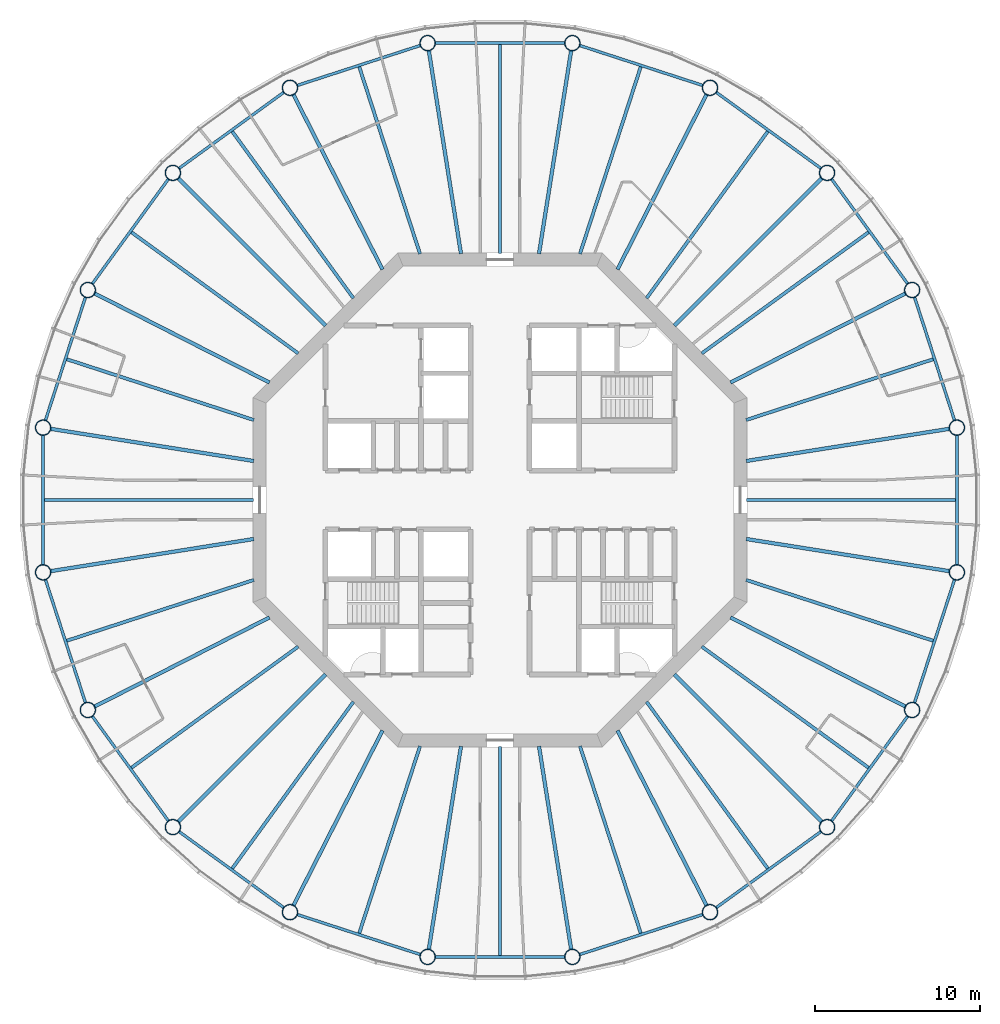
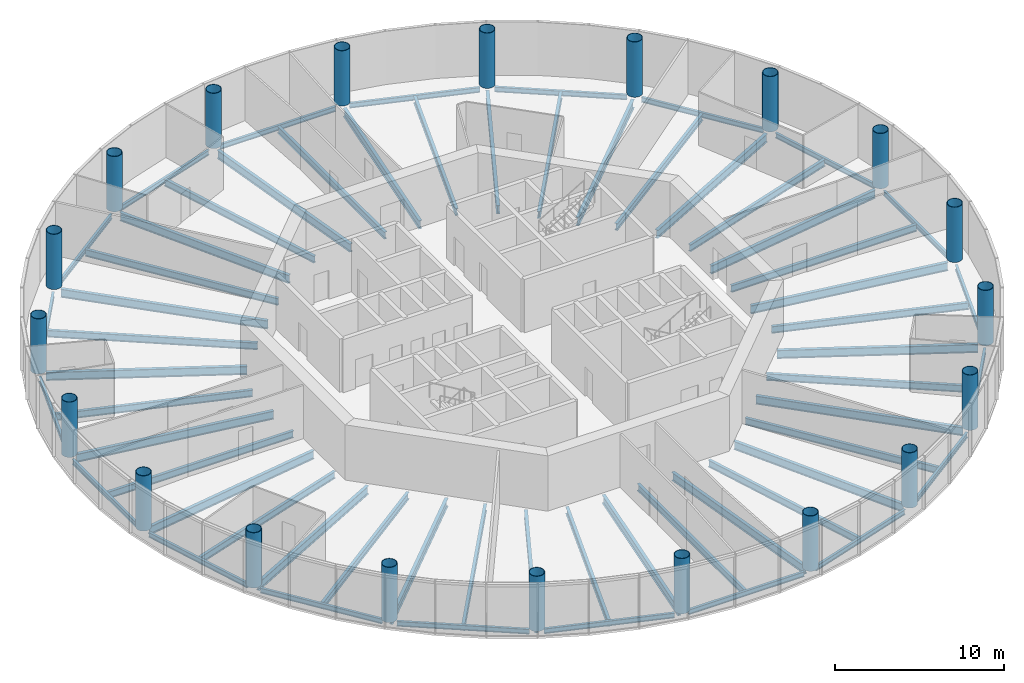
# One storey, part 1 of 13: 60 beams, 20 columns.
"""IFC4 building model written with IfcOpenShell, lengths in metres."""

from ifc_helpers import new_model, si_unit, direction, frame, origin, origin_2d, place, context, subcontext, project, spatial, circle, hollow_circle, i_section, extrude, material, material_profile, profile_set, type_object, element, save


model = new_model("IFC4")

# Units and contexts
model_context = context("Model", 3, precision=1e-05, world=origin(), true_north=direction((0.0, 1.0)))
body_context = subcontext(model_context, "Body", "Model", "MODEL_VIEW")
ifc_project = project(units=[si_unit("LENGTHUNIT", "METRE"), si_unit("AREAUNIT", "SQUARE_METRE"), si_unit("VOLUMEUNIT", "CUBIC_METRE"), si_unit("PLANEANGLEUNIT", "RADIAN"), si_unit("MASSUNIT", "GRAM", prefix="KILO")], contexts=[model_context])

# Site, building, storey
site_placement = place(None, origin())
site = spatial("IfcSite", under=ifc_project, at=site_placement, CompositionType="ELEMENT")
building_placement = place(site_placement, origin())
building = spatial("IfcBuilding", under=site, at=building_placement, Name="Entoto Ring Tower", CompositionType="ELEMENT")
storey_placement = place(building_placement, frame((0.0, 0.0, 314.0)))
storey = spatial("IfcBuildingStorey", under=building, at=storey_placement, Name="L72", CompositionType="ELEMENT", Elevation=314.0)

# Columns
ifc_material_1 = material(Name="Steel S355", Category="steel")
ifc_material_profile_1 = material_profile(ifc_material_1, hollow_circle(Radius=0.47509765625, WallThickness=0.034912109375, at=origin_2d()), Name="CHS 950 x 35")
ifc_material_2 = material(Name="Concrete C60/75", Category="concrete")
ifc_material_profile_2 = material_profile(ifc_material_2, circle(Radius=0.43994140625, at=origin_2d()), Name="Concrete C60/75 infill")
ifc_profile_set_1 = profile_set([ifc_material_profile_1, ifc_material_profile_2], Name="Steel S355")
column_type = type_object("IfcColumnType", Name="Ring column 950 x 35 concrete-filled tube", PredefinedType="COLUMN", material=ifc_profile_set_1)
for number, where, z_axis, x_axis, name in (
    (1, (117.754150390625, 84.395751953125, 0.0), (0.0, 0.0, 1.0), (1.0, 0.0, 0.0), "RC5 R01"),
    (2, (115.037353515625, 92.757080078125, 0.0), (0.0, 0.0, 1.0), (1.0, 0.0, 0.0), "RC5 R02"),
    (3, (109.86962890625, 99.86962890625, 0.0), (0.0, 0.0, 1.0), (1.0, 0.0, 0.0), "RC5 R03"),
    (4, (102.757080078125, 105.037353515625, 0.0), (0.0, 0.0, 1.0), (1.0, 0.0, 0.0), "RC5 R04"),
    (5, (94.395751953125, 107.754150390625, 0.0), (0.0, 0.0, 1.0), (1.0, 0.0, 0.0), "RC5 R05"),
    (6, (85.604248046875, 107.754150390625, 0.0), (0.0, 0.0, 1.0), (1.0, 0.0, 0.0), "RC5 R06"),
    (7, (77.242919921875, 105.037353515625, 0.0), (0.0, 0.0, 1.0), (1.0, 0.0, 0.0), "RC5 R07"),
    (8, (70.13037109375, 99.86962890625, 0.0), (0.0, 0.0, 1.0), (1.0, 0.0, 0.0), "RC5 R08"),
    (9, (64.962646484375, 92.757080078125, 0.0), (0.0, 0.0, 1.0), (1.0, 0.0, 0.0), "RC5 R09"),
    (10, (62.245849609375, 84.395751953125, 0.0), (0.0, 0.0, 1.0), (1.0, 0.0, 0.0), "RC5 R10"),
    (11, (62.245849609375, 75.604248046875, 0.0), (0.0, 0.0, 1.0), (1.0, 0.0, 0.0), "RC5 R11"),
    (12, (64.962646484375, 67.242919921875, 0.0), (0.0, 0.0, 1.0), (1.0, 0.0, 0.0), "RC5 R12"),
    (13, (70.13037109375, 60.13037109375, 0.0), (0.0, 0.0, 1.0), (1.0, 0.0, 0.0), "RC5 R13"),
    (14, (77.242919921875, 54.962646484375, 0.0), (0.0, 0.0, 1.0), (1.0, 0.0, 0.0), "RC5 R14"),
    (15, (85.604248046875, 52.245849609375, 0.0), (0.0, 0.0, 1.0), (1.0, 0.0, 0.0), "RC5 R15"),
    (16, (94.395751953125, 52.245849609375, 0.0), (0.0, 0.0, 1.0), (1.0, 0.0, 0.0), "RC5 R16"),
    (17, (102.757080078125, 54.962646484375, 0.0), (0.0, 0.0, 1.0), (1.0, 0.0, 0.0), "RC5 R17"),
    (18, (109.86962890625, 60.13037109375, 0.0), (0.0, 0.0, 1.0), (1.0, 0.0, 0.0), "RC5 R18"),
    (19, (115.037353515625, 67.242919921875, 0.0), (0.0, 0.0, 1.0), (1.0, 0.0, 0.0), "RC5 R19"),
    (20, (117.754150390625, 75.604248046875, 0.0), (0.0, 0.0, 1.0), (1.0, 0.0, 0.0), "RC5 R20"),
):
    element("IfcColumn", number, at=place(storey_placement, frame(where, z_axis=z_axis, x_axis=x_axis)), inside=storey, type_object=column_type, Name=name, PredefinedType="COLUMN", context=body_context, shape_type="SweptSolid", body=[
        extrude(hollow_circle(Radius=0.47509765625, WallThickness=0.034912109375, at=origin_2d()), origin(), (0.0, 0.0, 1.0), 4.0),
    ])

# Beams
ifc_material_3 = material(Name="Steel S355", Category="steel")
ifc_material_profile_3 = material_profile(ifc_material_3, i_section(OverallWidth=0.169921875, OverallDepth=0.360107421875, WebThickness=0.008056640625, FlangeThickness=0.0126953125, FilletRadius=0.01806640625, at=origin_2d()), Name="IPE 360")
ifc_profile_set_2 = profile_set([ifc_material_profile_3], Name="Steel S355")
beam_type_1 = type_object("IfcBeamType", Name="Edge beam IPE 360", PredefinedType="SPANDREL", material=ifc_profile_set_2)
beam_1_placement = place(storey_placement, frame((117.61572265625, 84.8212890625, -0.330078125), z_axis=(-0.309002883506, 0.951061101079, 0.0), x_axis=(-0.951061101079, -0.309002883506, 0.0)))
element("IfcBeam", 21, at=beam_1_placement, inside=storey, type_object=beam_type_1, Name="Edge beam L72 01", PredefinedType="SPANDREL", context=body_context, shape_type="SweptSolid", body=[
    extrude(i_section(OverallWidth=0.169921875, OverallDepth=0.360107421875, WebThickness=0.008056640625, FlangeThickness=0.0126953125, FilletRadius=0.01806640625, at=origin_2d()), origin(), (0.0, 0.0, 1.0), 7.89697265625),
])
for number, where, z_axis, x_axis, name in (
    (22, (114.7744140625, 93.118896484375, -0.330078125), (-0.587787449408, 0.809015398073, 0.0), (-0.809015398073, -0.587787449408, 0.0), "Edge beam L72 02"),
    (23, (109.5078125, 100.132568359375, -0.330078125), (-0.809015398073, 0.587787449408, 0.0), (-0.587787449408, -0.809015398073, 0.0), "Edge beam L72 03"),
):
    element("IfcBeam", number, at=place(storey_placement, frame(where, z_axis=z_axis, x_axis=x_axis)), inside=storey, type_object=beam_type_1, Name=name, PredefinedType="SPANDREL", context=body_context, shape_type="SweptSolid", body=[
        extrude(i_section(OverallWidth=0.169921875, OverallDepth=0.360107421875, WebThickness=0.008056640625, FlangeThickness=0.0126953125, FilletRadius=0.01806640625, at=origin_2d()), origin(), (0.0, 0.0, 1.0), 7.897216796875),
    ])
for number, where, z_axis, x_axis, name in (
    (24, (102.331787109375, 105.175537109375, -0.330078125), (-0.951061101079, 0.309002883506, 0.0), (-0.309002883506, -0.951061101079, 0.0), "Edge beam L72 04"),
    (25, (93.948486328125, 107.754150390625, -0.330078125), (-1.0, 0.0, 0.0), (0.0, -1.0, 0.0), "Edge beam L72 05"),
    (26, (85.1787109375, 107.61572265625, -0.330078125), (-0.951061101079, -0.309002883506, 0.0), (0.309002883506, -0.951061101079, 0.0), "Edge beam L72 06"),
):
    element("IfcBeam", number, at=place(storey_placement, frame(where, z_axis=z_axis, x_axis=x_axis)), inside=storey, type_object=beam_type_1, Name=name, PredefinedType="SPANDREL", context=body_context, shape_type="SweptSolid", body=[
        extrude(i_section(OverallWidth=0.169921875, OverallDepth=0.360107421875, WebThickness=0.008056640625, FlangeThickness=0.0126953125, FilletRadius=0.01806640625, at=origin_2d()), origin(), (0.0, 0.0, 1.0), 7.89697265625),
    ])
for number, where, z_axis, x_axis, name in (
    (27, (76.881103515625, 104.7744140625, -0.330078125), (-0.809015398073, -0.587787449408, 0.0), (0.587787449408, -0.809015398073, 0.0), "Edge beam L72 07"),
    (28, (69.867431640625, 99.5078125, -0.330078125), (-0.587787449408, -0.809015398073, 0.0), (0.809015398073, -0.587787449408, 0.0), "Edge beam L72 08"),
):
    element("IfcBeam", number, at=place(storey_placement, frame(where, z_axis=z_axis, x_axis=x_axis)), inside=storey, type_object=beam_type_1, Name=name, PredefinedType="SPANDREL", context=body_context, shape_type="SweptSolid", body=[
        extrude(i_section(OverallWidth=0.169921875, OverallDepth=0.360107421875, WebThickness=0.008056640625, FlangeThickness=0.0126953125, FilletRadius=0.01806640625, at=origin_2d()), origin(), (0.0, 0.0, 1.0), 7.897216796875),
    ])
for number, where, z_axis, x_axis, name in (
    (29, (64.824462890625, 92.331787109375, -0.330078125), (-0.309002883506, -0.951061101079, 0.0), (0.951061101079, -0.309002883506, 0.0), "Edge beam L72 09"),
    (30, (62.245849609375, 83.948486328125, -0.330078125), (0.0, -1.0, 0.0), (1.0, 0.0, 0.0), "Edge beam L72 10"),
    (31, (62.38427734375, 75.1787109375, -0.330078125), (0.309002883506, -0.951061101079, 0.0), (0.951061101079, 0.309002883506, 0.0), "Edge beam L72 11"),
):
    element("IfcBeam", number, at=place(storey_placement, frame(where, z_axis=z_axis, x_axis=x_axis)), inside=storey, type_object=beam_type_1, Name=name, PredefinedType="SPANDREL", context=body_context, shape_type="SweptSolid", body=[
        extrude(i_section(OverallWidth=0.169921875, OverallDepth=0.360107421875, WebThickness=0.008056640625, FlangeThickness=0.0126953125, FilletRadius=0.01806640625, at=origin_2d()), origin(), (0.0, 0.0, 1.0), 7.89697265625),
    ])
for number, where, z_axis, x_axis, name in (
    (32, (65.2255859375, 66.881103515625, -0.330078125), (0.587787449408, -0.809015398073, 0.0), (0.809015398073, 0.587787449408, 0.0), "Edge beam L72 12"),
    (33, (70.4921875, 59.867431640625, -0.330078125), (0.809015398073, -0.587787449408, 0.0), (0.587787449408, 0.809015398073, 0.0), "Edge beam L72 13"),
):
    element("IfcBeam", number, at=place(storey_placement, frame(where, z_axis=z_axis, x_axis=x_axis)), inside=storey, type_object=beam_type_1, Name=name, PredefinedType="SPANDREL", context=body_context, shape_type="SweptSolid", body=[
        extrude(i_section(OverallWidth=0.169921875, OverallDepth=0.360107421875, WebThickness=0.008056640625, FlangeThickness=0.0126953125, FilletRadius=0.01806640625, at=origin_2d()), origin(), (0.0, 0.0, 1.0), 7.897216796875),
    ])
for number, where, z_axis, x_axis, name in (
    (34, (77.668212890625, 54.824462890625, -0.330078125), (0.951061101079, -0.309002883506, 0.0), (0.309002883506, 0.951061101079, 0.0), "Edge beam L72 14"),
    (35, (86.051513671875, 52.245849609375, -0.330078125), (1.0, 0.0, 0.0), (0.0, 1.0, 0.0), "Edge beam L72 15"),
    (36, (94.8212890625, 52.38427734375, -0.330078125), (0.951061101079, 0.309002883506, 0.0), (-0.309002883506, 0.951061101079, 0.0), "Edge beam L72 16"),
):
    element("IfcBeam", number, at=place(storey_placement, frame(where, z_axis=z_axis, x_axis=x_axis)), inside=storey, type_object=beam_type_1, Name=name, PredefinedType="SPANDREL", context=body_context, shape_type="SweptSolid", body=[
        extrude(i_section(OverallWidth=0.169921875, OverallDepth=0.360107421875, WebThickness=0.008056640625, FlangeThickness=0.0126953125, FilletRadius=0.01806640625, at=origin_2d()), origin(), (0.0, 0.0, 1.0), 7.89697265625),
    ])
for number, where, z_axis, x_axis, name in (
    (37, (103.118896484375, 55.2255859375, -0.330078125), (0.809015398073, 0.587787449408, 0.0), (-0.587787449408, 0.809015398073, 0.0), "Edge beam L72 17"),
    (38, (110.132568359375, 60.4921875, -0.330078125), (0.587787449408, 0.809015398073, 0.0), (-0.809015398073, 0.587787449408, 0.0), "Edge beam L72 18"),
):
    element("IfcBeam", number, at=place(storey_placement, frame(where, z_axis=z_axis, x_axis=x_axis)), inside=storey, type_object=beam_type_1, Name=name, PredefinedType="SPANDREL", context=body_context, shape_type="SweptSolid", body=[
        extrude(i_section(OverallWidth=0.169921875, OverallDepth=0.360107421875, WebThickness=0.008056640625, FlangeThickness=0.0126953125, FilletRadius=0.01806640625, at=origin_2d()), origin(), (0.0, 0.0, 1.0), 7.897216796875),
    ])
for number, where, z_axis, x_axis, name in (
    (39, (115.175537109375, 67.668212890625, -0.330078125), (0.309002883506, 0.951061101079, 0.0), (-0.951061101079, 0.309002883506, 0.0), "Edge beam L72 19"),
    (40, (117.754150390625, 76.051513671875, -0.330078125), (0.0, 1.0, 0.0), (-1.0, 0.0, 0.0), "Edge beam L72 20"),
):
    element("IfcBeam", number, at=place(storey_placement, frame(where, z_axis=z_axis, x_axis=x_axis)), inside=storey, type_object=beam_type_1, Name=name, PredefinedType="SPANDREL", context=body_context, shape_type="SweptSolid", body=[
        extrude(i_section(OverallWidth=0.169921875, OverallDepth=0.360107421875, WebThickness=0.008056640625, FlangeThickness=0.0126953125, FilletRadius=0.01806640625, at=origin_2d()), origin(), (0.0, 0.0, 1.0), 7.89697265625),
    ])
ifc_material_4 = material(Name="Steel S355", Category="steel")
ifc_material_profile_4 = material_profile(ifc_material_4, i_section(OverallWidth=0.219970703125, OverallDepth=0.60009765625, WebThickness=0.011962890625, FlangeThickness=0.01904296875, FilletRadius=0.02392578125, at=origin_2d()), Name="IPE 600")
ifc_profile_set_3 = profile_set([ifc_material_profile_4], Name="Steel S355")
beam_type_2 = type_object("IfcBeamType", Name="Primary floor beam IPE 600", PredefinedType="BEAM", material=ifc_profile_set_3)
beam_2_placement = place(storey_placement, frame((104.963134765625, 82.369873046875, -0.449951171875), z_axis=(0.987687519796, 0.156439647277, 0.0), x_axis=(-0.156439647277, 0.987687519796, 0.0)))
element("IfcBeam", 41, at=beam_2_placement, inside=storey, type_object=beam_type_2, Name="Primary L72 R01", PredefinedType="BEAM", context=body_context, shape_type="SweptSolid", body=[
    extrude(i_section(OverallWidth=0.219970703125, OverallDepth=0.60009765625, WebThickness=0.011962890625, FlangeThickness=0.01904296875, FilletRadius=0.02392578125, at=origin_2d()), origin(), (0.0, 0.0, 1.0), 12.50830078125),
])
beam_3_placement = place(storey_placement, frame((104.003173828125, 87.135009765625, -0.449951171875), z_axis=(0.891007666593, 0.453988257638, 0.0), x_axis=(-0.453988257638, 0.891007666593, 0.0)))
element("IfcBeam", 42, at=beam_3_placement, inside=storey, type_object=beam_type_2, Name="Primary L72 R02", PredefinedType="BEAM", context=body_context, shape_type="SweptSolid", body=[
    extrude(i_section(OverallWidth=0.219970703125, OverallDepth=0.60009765625, WebThickness=0.011962890625, FlangeThickness=0.01904296875, FilletRadius=0.02392578125, at=origin_2d()), origin(), (0.0, 0.0, 1.0), 11.941650390625),
])
beam_4_placement = place(storey_placement, frame((100.592529296875, 90.592529296875, -0.449951171875), z_axis=(0.707106781187, 0.707106781187, 0.0), x_axis=(-0.707106781187, 0.707106781187, 0.0)))
element("IfcBeam", 43, at=beam_4_placement, inside=storey, type_object=beam_type_2, Name="Primary L72 R03", PredefinedType="BEAM", context=body_context, shape_type="SweptSolid", body=[
    extrude(i_section(OverallWidth=0.219970703125, OverallDepth=0.60009765625, WebThickness=0.011962890625, FlangeThickness=0.01904296875, FilletRadius=0.02392578125, at=origin_2d()), origin(), (0.0, 0.0, 1.0), 12.677978515625),
])
beam_5_placement = place(storey_placement, frame((97.135009765625, 94.003173828125, -0.449951171875), z_axis=(0.453988257638, 0.891007666593, 0.0), x_axis=(-0.891007666593, 0.453988257638, 0.0)))
element("IfcBeam", 44, at=beam_5_placement, inside=storey, type_object=beam_type_2, Name="Primary L72 R04", PredefinedType="BEAM", context=body_context, shape_type="SweptSolid", body=[
    extrude(i_section(OverallWidth=0.219970703125, OverallDepth=0.60009765625, WebThickness=0.011962890625, FlangeThickness=0.01904296875, FilletRadius=0.02392578125, at=origin_2d()), origin(), (0.0, 0.0, 1.0), 11.941650390625),
])
for number, where, z_axis, x_axis, name in (
    (45, (92.369873046875, 94.963134765625, -0.449951171875), (0.156439647277, 0.987687519796, 0.0), (-0.987687519796, 0.156439647277, 0.0), "Primary L72 R05"),
    (46, (87.630126953125, 94.963134765625, -0.449951171875), (-0.156439647277, 0.987687519796, 0.0), (-0.987687519796, -0.156439647277, 0.0), "Primary L72 R06"),
):
    element("IfcBeam", number, at=place(storey_placement, frame(where, z_axis=z_axis, x_axis=x_axis)), inside=storey, type_object=beam_type_2, Name=name, PredefinedType="BEAM", context=body_context, shape_type="SweptSolid", body=[
        extrude(i_section(OverallWidth=0.219970703125, OverallDepth=0.60009765625, WebThickness=0.011962890625, FlangeThickness=0.01904296875, FilletRadius=0.02392578125, at=origin_2d()), origin(), (0.0, 0.0, 1.0), 12.50830078125),
    ])
beam_6_placement = place(storey_placement, frame((82.864990234375, 94.003173828125, -0.449951171875), z_axis=(-0.453988257638, 0.891007666593, 0.0), x_axis=(-0.891007666593, -0.453988257638, 0.0)))
element("IfcBeam", 47, at=beam_6_placement, inside=storey, type_object=beam_type_2, Name="Primary L72 R07", PredefinedType="BEAM", context=body_context, shape_type="SweptSolid", body=[
    extrude(i_section(OverallWidth=0.219970703125, OverallDepth=0.60009765625, WebThickness=0.011962890625, FlangeThickness=0.01904296875, FilletRadius=0.02392578125, at=origin_2d()), origin(), (0.0, 0.0, 1.0), 11.941650390625),
])
beam_7_placement = place(storey_placement, frame((79.407470703125, 90.592529296875, -0.449951171875), z_axis=(-0.707106781187, 0.707106781187, 0.0), x_axis=(-0.707106781187, -0.707106781187, 0.0)))
element("IfcBeam", 48, at=beam_7_placement, inside=storey, type_object=beam_type_2, Name="Primary L72 R08", PredefinedType="BEAM", context=body_context, shape_type="SweptSolid", body=[
    extrude(i_section(OverallWidth=0.219970703125, OverallDepth=0.60009765625, WebThickness=0.011962890625, FlangeThickness=0.01904296875, FilletRadius=0.02392578125, at=origin_2d()), origin(), (0.0, 0.0, 1.0), 12.677978515625),
])
beam_8_placement = place(storey_placement, frame((75.996826171875, 87.135009765625, -0.449951171875), z_axis=(-0.891007666593, 0.453988257638, 0.0), x_axis=(-0.453988257638, -0.891007666593, 0.0)))
element("IfcBeam", 49, at=beam_8_placement, inside=storey, type_object=beam_type_2, Name="Primary L72 R09", PredefinedType="BEAM", context=body_context, shape_type="SweptSolid", body=[
    extrude(i_section(OverallWidth=0.219970703125, OverallDepth=0.60009765625, WebThickness=0.011962890625, FlangeThickness=0.01904296875, FilletRadius=0.02392578125, at=origin_2d()), origin(), (0.0, 0.0, 1.0), 11.941650390625),
])
for number, where, z_axis, x_axis, name in (
    (50, (75.036865234375, 82.369873046875, -0.449951171875), (-0.987687519796, 0.156439647277, 0.0), (-0.156439647277, -0.987687519796, 0.0), "Primary L72 R10"),
    (51, (75.036865234375, 77.630126953125, -0.449951171875), (-0.987687519796, -0.156439647277, 0.0), (0.156439647277, -0.987687519796, 0.0), "Primary L72 R11"),
):
    element("IfcBeam", number, at=place(storey_placement, frame(where, z_axis=z_axis, x_axis=x_axis)), inside=storey, type_object=beam_type_2, Name=name, PredefinedType="BEAM", context=body_context, shape_type="SweptSolid", body=[
        extrude(i_section(OverallWidth=0.219970703125, OverallDepth=0.60009765625, WebThickness=0.011962890625, FlangeThickness=0.01904296875, FilletRadius=0.02392578125, at=origin_2d()), origin(), (0.0, 0.0, 1.0), 12.50830078125),
    ])
beam_9_placement = place(storey_placement, frame((75.996826171875, 72.864990234375, -0.449951171875), z_axis=(-0.891007666593, -0.453988257638, 0.0), x_axis=(0.453988257638, -0.891007666593, 0.0)))
element("IfcBeam", 52, at=beam_9_placement, inside=storey, type_object=beam_type_2, Name="Primary L72 R12", PredefinedType="BEAM", context=body_context, shape_type="SweptSolid", body=[
    extrude(i_section(OverallWidth=0.219970703125, OverallDepth=0.60009765625, WebThickness=0.011962890625, FlangeThickness=0.01904296875, FilletRadius=0.02392578125, at=origin_2d()), origin(), (0.0, 0.0, 1.0), 11.941650390625),
])
beam_10_placement = place(storey_placement, frame((79.407470703125, 69.407470703125, -0.449951171875), z_axis=(-0.707106781187, -0.707106781187, 0.0), x_axis=(0.707106781187, -0.707106781187, 0.0)))
element("IfcBeam", 53, at=beam_10_placement, inside=storey, type_object=beam_type_2, Name="Primary L72 R13", PredefinedType="BEAM", context=body_context, shape_type="SweptSolid", body=[
    extrude(i_section(OverallWidth=0.219970703125, OverallDepth=0.60009765625, WebThickness=0.011962890625, FlangeThickness=0.01904296875, FilletRadius=0.02392578125, at=origin_2d()), origin(), (0.0, 0.0, 1.0), 12.677978515625),
])
beam_11_placement = place(storey_placement, frame((82.864990234375, 65.996826171875, -0.449951171875), z_axis=(-0.453988257638, -0.891007666593, 0.0), x_axis=(0.891007666593, -0.453988257638, 0.0)))
element("IfcBeam", 54, at=beam_11_placement, inside=storey, type_object=beam_type_2, Name="Primary L72 R14", PredefinedType="BEAM", context=body_context, shape_type="SweptSolid", body=[
    extrude(i_section(OverallWidth=0.219970703125, OverallDepth=0.60009765625, WebThickness=0.011962890625, FlangeThickness=0.01904296875, FilletRadius=0.02392578125, at=origin_2d()), origin(), (0.0, 0.0, 1.0), 11.941650390625),
])
for number, where, z_axis, x_axis, name in (
    (55, (87.630126953125, 65.036865234375, -0.449951171875), (-0.156439647277, -0.987687519796, 0.0), (0.987687519796, -0.156439647277, 0.0), "Primary L72 R15"),
    (56, (92.369873046875, 65.036865234375, -0.449951171875), (0.156439647277, -0.987687519796, 0.0), (0.987687519796, 0.156439647277, 0.0), "Primary L72 R16"),
):
    element("IfcBeam", number, at=place(storey_placement, frame(where, z_axis=z_axis, x_axis=x_axis)), inside=storey, type_object=beam_type_2, Name=name, PredefinedType="BEAM", context=body_context, shape_type="SweptSolid", body=[
        extrude(i_section(OverallWidth=0.219970703125, OverallDepth=0.60009765625, WebThickness=0.011962890625, FlangeThickness=0.01904296875, FilletRadius=0.02392578125, at=origin_2d()), origin(), (0.0, 0.0, 1.0), 12.50830078125),
    ])
beam_12_placement = place(storey_placement, frame((97.135009765625, 65.996826171875, -0.449951171875), z_axis=(0.453988257638, -0.891007666593, 0.0), x_axis=(0.891007666593, 0.453988257638, 0.0)))
element("IfcBeam", 57, at=beam_12_placement, inside=storey, type_object=beam_type_2, Name="Primary L72 R17", PredefinedType="BEAM", context=body_context, shape_type="SweptSolid", body=[
    extrude(i_section(OverallWidth=0.219970703125, OverallDepth=0.60009765625, WebThickness=0.011962890625, FlangeThickness=0.01904296875, FilletRadius=0.02392578125, at=origin_2d()), origin(), (0.0, 0.0, 1.0), 11.941650390625),
])
beam_13_placement = place(storey_placement, frame((100.592529296875, 69.407470703125, -0.449951171875), z_axis=(0.707106781187, -0.707106781187, 0.0), x_axis=(0.707106781187, 0.707106781187, 0.0)))
element("IfcBeam", 58, at=beam_13_placement, inside=storey, type_object=beam_type_2, Name="Primary L72 R18", PredefinedType="BEAM", context=body_context, shape_type="SweptSolid", body=[
    extrude(i_section(OverallWidth=0.219970703125, OverallDepth=0.60009765625, WebThickness=0.011962890625, FlangeThickness=0.01904296875, FilletRadius=0.02392578125, at=origin_2d()), origin(), (0.0, 0.0, 1.0), 12.677978515625),
])
beam_14_placement = place(storey_placement, frame((104.003173828125, 72.864990234375, -0.449951171875), z_axis=(0.891007666593, -0.453988257638, 0.0), x_axis=(0.453988257638, 0.891007666593, 0.0)))
element("IfcBeam", 59, at=beam_14_placement, inside=storey, type_object=beam_type_2, Name="Primary L72 R19", PredefinedType="BEAM", context=body_context, shape_type="SweptSolid", body=[
    extrude(i_section(OverallWidth=0.219970703125, OverallDepth=0.60009765625, WebThickness=0.011962890625, FlangeThickness=0.01904296875, FilletRadius=0.02392578125, at=origin_2d()), origin(), (0.0, 0.0, 1.0), 11.941650390625),
])
beam_15_placement = place(storey_placement, frame((104.963134765625, 77.630126953125, -0.449951171875), z_axis=(0.987687519796, -0.156439647277, 0.0), x_axis=(0.156439647277, 0.987687519796, 0.0)))
element("IfcBeam", 60, at=beam_15_placement, inside=storey, type_object=beam_type_2, Name="Primary L72 R20", PredefinedType="BEAM", context=body_context, shape_type="SweptSolid", body=[
    extrude(i_section(OverallWidth=0.219970703125, OverallDepth=0.60009765625, WebThickness=0.011962890625, FlangeThickness=0.01904296875, FilletRadius=0.02392578125, at=origin_2d()), origin(), (0.0, 0.0, 1.0), 12.50830078125),
])
ifc_material_5 = material(Name="Steel S355", Category="steel")
ifc_material_profile_5 = material_profile(ifc_material_5, i_section(OverallWidth=0.199951171875, OverallDepth=0.5, WebThickness=0.01025390625, FlangeThickness=0.01611328125, FilletRadius=0.02099609375, at=origin_2d()), Name="IPE 500")
ifc_profile_set_4 = profile_set([ifc_material_profile_5], Name="Steel S355")
beam_type_3 = type_object("IfcBeamType", Name="Secondary floor beam IPE 500", PredefinedType="JOIST", material=ifc_profile_set_4)
beam_16_placement = place(storey_placement, frame((104.9501953125, 84.857666015625, -0.39990234375), z_axis=(0.951056587506, 0.30901677521, 0.0), x_axis=(-0.30901677521, 0.951056587506, 0.0)))
element("IfcBeam", 61, at=beam_16_placement, inside=storey, type_object=beam_type_3, Name="Secondary beam L72 01", PredefinedType="JOIST", context=body_context, shape_type="SweptSolid", body=[
    extrude(i_section(OverallWidth=0.199951171875, OverallDepth=0.5, WebThickness=0.01025390625, FlangeThickness=0.01611328125, FilletRadius=0.02099609375, at=origin_2d()), origin(), (0.0, 0.0, 1.0), 11.94970703125),
])
for number, where, z_axis, x_axis, name in (
    (62, (102.257568359375, 88.905517578125, -0.39990234375), (0.80901431041, 0.587788946436, 0.0), (-0.587788946436, 0.80901431041, 0.0), "Secondary beam L72 02"),
    (63, (98.905517578125, 92.257568359375, -0.39990234375), (0.587788946436, 0.80901431041, 0.0), (-0.80901431041, 0.587788946436, 0.0), "Secondary beam L72 03"),
):
    element("IfcBeam", number, at=place(storey_placement, frame(where, z_axis=z_axis, x_axis=x_axis)), inside=storey, type_object=beam_type_3, Name=name, PredefinedType="JOIST", context=body_context, shape_type="SweptSolid", body=[
        extrude(i_section(OverallWidth=0.199951171875, OverallDepth=0.5, WebThickness=0.01025390625, FlangeThickness=0.01611328125, FilletRadius=0.02099609375, at=origin_2d()), origin(), (0.0, 0.0, 1.0), 12.51806640625),
    ])
beam_17_placement = place(storey_placement, frame((94.857666015625, 94.9501953125, -0.39990234375), z_axis=(0.30901677521, 0.951056587506, 0.0), x_axis=(-0.951056587506, 0.30901677521, 0.0)))
element("IfcBeam", 64, at=beam_17_placement, inside=storey, type_object=beam_type_3, Name="Secondary beam L72 04", PredefinedType="JOIST", context=body_context, shape_type="SweptSolid", body=[
    extrude(i_section(OverallWidth=0.199951171875, OverallDepth=0.5, WebThickness=0.01025390625, FlangeThickness=0.01611328125, FilletRadius=0.02099609375, at=origin_2d()), origin(), (0.0, 0.0, 1.0), 11.94970703125),
])
beam_18_placement = place(storey_placement, frame((90.0, 94.97998046875, -0.39990234375), z_axis=(0.0, 1.0, 0.0), x_axis=(-1.0, 0.0, 0.0)))
element("IfcBeam", 65, at=beam_18_placement, inside=storey, type_object=beam_type_3, Name="Secondary beam L72 05", PredefinedType="JOIST", context=body_context, shape_type="SweptSolid", body=[
    extrude(i_section(OverallWidth=0.199951171875, OverallDepth=0.5, WebThickness=0.01025390625, FlangeThickness=0.01611328125, FilletRadius=0.02099609375, at=origin_2d()), origin(), (0.0, 0.0, 1.0), 12.68896484375),
])
beam_19_placement = place(storey_placement, frame((85.142333984375, 94.9501953125, -0.39990234375), z_axis=(-0.30901677521, 0.951056587506, 0.0), x_axis=(-0.951056587506, -0.30901677521, 0.0)))
element("IfcBeam", 66, at=beam_19_placement, inside=storey, type_object=beam_type_3, Name="Secondary beam L72 06", PredefinedType="JOIST", context=body_context, shape_type="SweptSolid", body=[
    extrude(i_section(OverallWidth=0.199951171875, OverallDepth=0.5, WebThickness=0.01025390625, FlangeThickness=0.01611328125, FilletRadius=0.02099609375, at=origin_2d()), origin(), (0.0, 0.0, 1.0), 11.94970703125),
])
for number, where, z_axis, x_axis, name in (
    (67, (81.094482421875, 92.257568359375, -0.39990234375), (-0.587788946436, 0.80901431041, 0.0), (-0.80901431041, -0.587788946436, 0.0), "Secondary beam L72 07"),
    (68, (77.742431640625, 88.905517578125, -0.39990234375), (-0.80901431041, 0.587788946436, 0.0), (-0.587788946436, -0.80901431041, 0.0), "Secondary beam L72 08"),
):
    element("IfcBeam", number, at=place(storey_placement, frame(where, z_axis=z_axis, x_axis=x_axis)), inside=storey, type_object=beam_type_3, Name=name, PredefinedType="JOIST", context=body_context, shape_type="SweptSolid", body=[
        extrude(i_section(OverallWidth=0.199951171875, OverallDepth=0.5, WebThickness=0.01025390625, FlangeThickness=0.01611328125, FilletRadius=0.02099609375, at=origin_2d()), origin(), (0.0, 0.0, 1.0), 12.51806640625),
    ])
beam_20_placement = place(storey_placement, frame((75.0498046875, 84.857666015625, -0.39990234375), z_axis=(-0.951056587506, 0.30901677521, 0.0), x_axis=(-0.30901677521, -0.951056587506, 0.0)))
element("IfcBeam", 69, at=beam_20_placement, inside=storey, type_object=beam_type_3, Name="Secondary beam L72 09", PredefinedType="JOIST", context=body_context, shape_type="SweptSolid", body=[
    extrude(i_section(OverallWidth=0.199951171875, OverallDepth=0.5, WebThickness=0.01025390625, FlangeThickness=0.01611328125, FilletRadius=0.02099609375, at=origin_2d()), origin(), (0.0, 0.0, 1.0), 11.94970703125),
])
beam_21_placement = place(storey_placement, frame((75.02001953125, 80.0, -0.39990234375), z_axis=(-1.0, 0.0, 0.0), x_axis=(0.0, -1.0, 0.0)))
element("IfcBeam", 70, at=beam_21_placement, inside=storey, type_object=beam_type_3, Name="Secondary beam L72 10", PredefinedType="JOIST", context=body_context, shape_type="SweptSolid", body=[
    extrude(i_section(OverallWidth=0.199951171875, OverallDepth=0.5, WebThickness=0.01025390625, FlangeThickness=0.01611328125, FilletRadius=0.02099609375, at=origin_2d()), origin(), (0.0, 0.0, 1.0), 12.68896484375),
])
beam_22_placement = place(storey_placement, frame((75.0498046875, 75.142333984375, -0.39990234375), z_axis=(-0.951056587506, -0.30901677521, 0.0), x_axis=(0.30901677521, -0.951056587506, 0.0)))
element("IfcBeam", 71, at=beam_22_placement, inside=storey, type_object=beam_type_3, Name="Secondary beam L72 11", PredefinedType="JOIST", context=body_context, shape_type="SweptSolid", body=[
    extrude(i_section(OverallWidth=0.199951171875, OverallDepth=0.5, WebThickness=0.01025390625, FlangeThickness=0.01611328125, FilletRadius=0.02099609375, at=origin_2d()), origin(), (0.0, 0.0, 1.0), 11.94970703125),
])
for number, where, z_axis, x_axis, name in (
    (72, (77.742431640625, 71.094482421875, -0.39990234375), (-0.80901431041, -0.587788946436, 0.0), (0.587788946436, -0.80901431041, 0.0), "Secondary beam L72 12"),
    (73, (81.094482421875, 67.742431640625, -0.39990234375), (-0.587788946436, -0.80901431041, 0.0), (0.80901431041, -0.587788946436, 0.0), "Secondary beam L72 13"),
):
    element("IfcBeam", number, at=place(storey_placement, frame(where, z_axis=z_axis, x_axis=x_axis)), inside=storey, type_object=beam_type_3, Name=name, PredefinedType="JOIST", context=body_context, shape_type="SweptSolid", body=[
        extrude(i_section(OverallWidth=0.199951171875, OverallDepth=0.5, WebThickness=0.01025390625, FlangeThickness=0.01611328125, FilletRadius=0.02099609375, at=origin_2d()), origin(), (0.0, 0.0, 1.0), 12.51806640625),
    ])
beam_23_placement = place(storey_placement, frame((85.142333984375, 65.0498046875, -0.39990234375), z_axis=(-0.30901677521, -0.951056587506, 0.0), x_axis=(0.951056587506, -0.30901677521, 0.0)))
element("IfcBeam", 74, at=beam_23_placement, inside=storey, type_object=beam_type_3, Name="Secondary beam L72 14", PredefinedType="JOIST", context=body_context, shape_type="SweptSolid", body=[
    extrude(i_section(OverallWidth=0.199951171875, OverallDepth=0.5, WebThickness=0.01025390625, FlangeThickness=0.01611328125, FilletRadius=0.02099609375, at=origin_2d()), origin(), (0.0, 0.0, 1.0), 11.94970703125),
])
beam_24_placement = place(storey_placement, frame((90.0, 65.02001953125, -0.39990234375), z_axis=(0.0, -1.0, 0.0), x_axis=(1.0, 0.0, 0.0)))
element("IfcBeam", 75, at=beam_24_placement, inside=storey, type_object=beam_type_3, Name="Secondary beam L72 15", PredefinedType="JOIST", context=body_context, shape_type="SweptSolid", body=[
    extrude(i_section(OverallWidth=0.199951171875, OverallDepth=0.5, WebThickness=0.01025390625, FlangeThickness=0.01611328125, FilletRadius=0.02099609375, at=origin_2d()), origin(), (0.0, 0.0, 1.0), 12.68896484375),
])
beam_25_placement = place(storey_placement, frame((94.857666015625, 65.0498046875, -0.39990234375), z_axis=(0.30901677521, -0.951056587506, 0.0), x_axis=(0.951056587506, 0.30901677521, 0.0)))
element("IfcBeam", 76, at=beam_25_placement, inside=storey, type_object=beam_type_3, Name="Secondary beam L72 16", PredefinedType="JOIST", context=body_context, shape_type="SweptSolid", body=[
    extrude(i_section(OverallWidth=0.199951171875, OverallDepth=0.5, WebThickness=0.01025390625, FlangeThickness=0.01611328125, FilletRadius=0.02099609375, at=origin_2d()), origin(), (0.0, 0.0, 1.0), 11.94970703125),
])
for number, where, z_axis, x_axis, name in (
    (77, (98.905517578125, 67.742431640625, -0.39990234375), (0.587788946436, -0.80901431041, 0.0), (0.80901431041, 0.587788946436, 0.0), "Secondary beam L72 17"),
    (78, (102.257568359375, 71.094482421875, -0.39990234375), (0.80901431041, -0.587788946436, 0.0), (0.587788946436, 0.80901431041, 0.0), "Secondary beam L72 18"),
):
    element("IfcBeam", number, at=place(storey_placement, frame(where, z_axis=z_axis, x_axis=x_axis)), inside=storey, type_object=beam_type_3, Name=name, PredefinedType="JOIST", context=body_context, shape_type="SweptSolid", body=[
        extrude(i_section(OverallWidth=0.199951171875, OverallDepth=0.5, WebThickness=0.01025390625, FlangeThickness=0.01611328125, FilletRadius=0.02099609375, at=origin_2d()), origin(), (0.0, 0.0, 1.0), 12.51806640625),
    ])
beam_26_placement = place(storey_placement, frame((104.9501953125, 75.142333984375, -0.39990234375), z_axis=(0.951056587506, -0.30901677521, 0.0), x_axis=(0.30901677521, 0.951056587506, 0.0)))
element("IfcBeam", 79, at=beam_26_placement, inside=storey, type_object=beam_type_3, Name="Secondary beam L72 19", PredefinedType="JOIST", context=body_context, shape_type="SweptSolid", body=[
    extrude(i_section(OverallWidth=0.199951171875, OverallDepth=0.5, WebThickness=0.01025390625, FlangeThickness=0.01611328125, FilletRadius=0.02099609375, at=origin_2d()), origin(), (0.0, 0.0, 1.0), 11.94970703125),
])
beam_27_placement = place(storey_placement, frame((104.97998046875, 80.0, -0.39990234375), z_axis=(1.0, 0.0, 0.0), x_axis=(0.0, 1.0, 0.0)))
element("IfcBeam", 80, at=beam_27_placement, inside=storey, type_object=beam_type_3, Name="Secondary beam L72 20", PredefinedType="JOIST", context=body_context, shape_type="SweptSolid", body=[
    extrude(i_section(OverallWidth=0.199951171875, OverallDepth=0.5, WebThickness=0.01025390625, FlangeThickness=0.01611328125, FilletRadius=0.02099609375, at=origin_2d()), origin(), (0.0, 0.0, 1.0), 12.68896484375),
])

save(model, "model.ifc")
